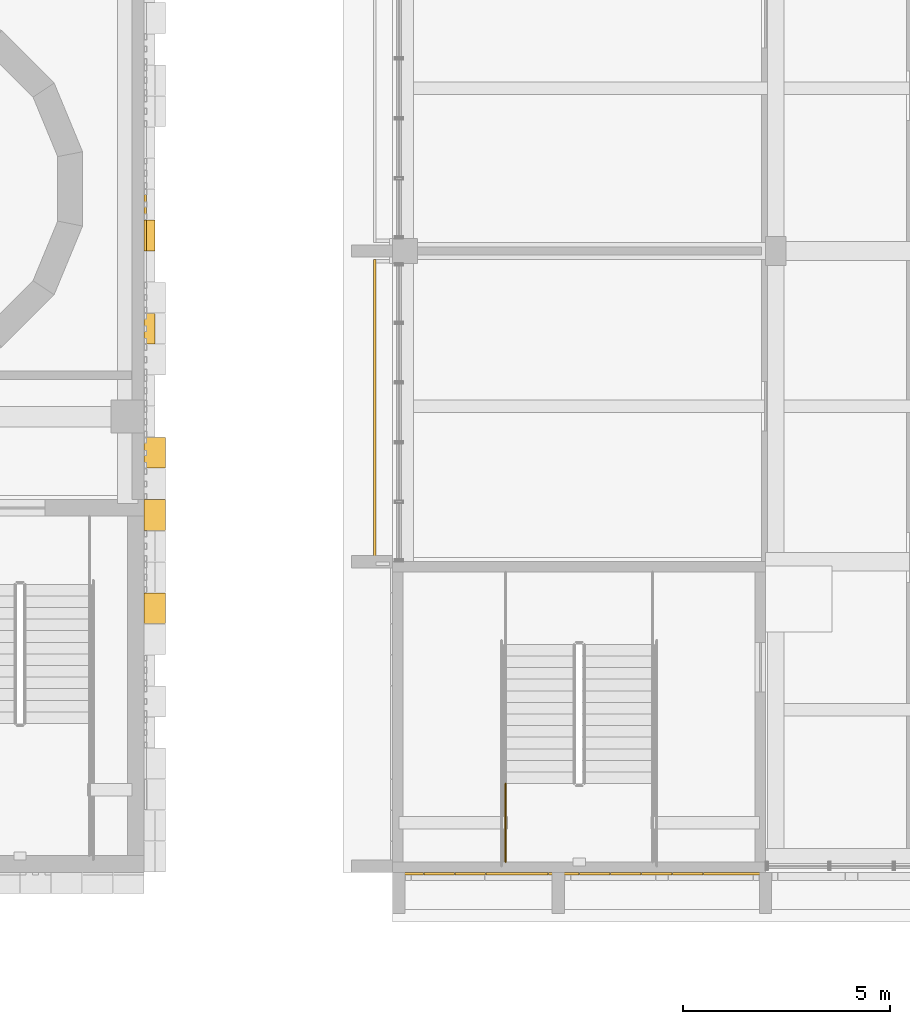
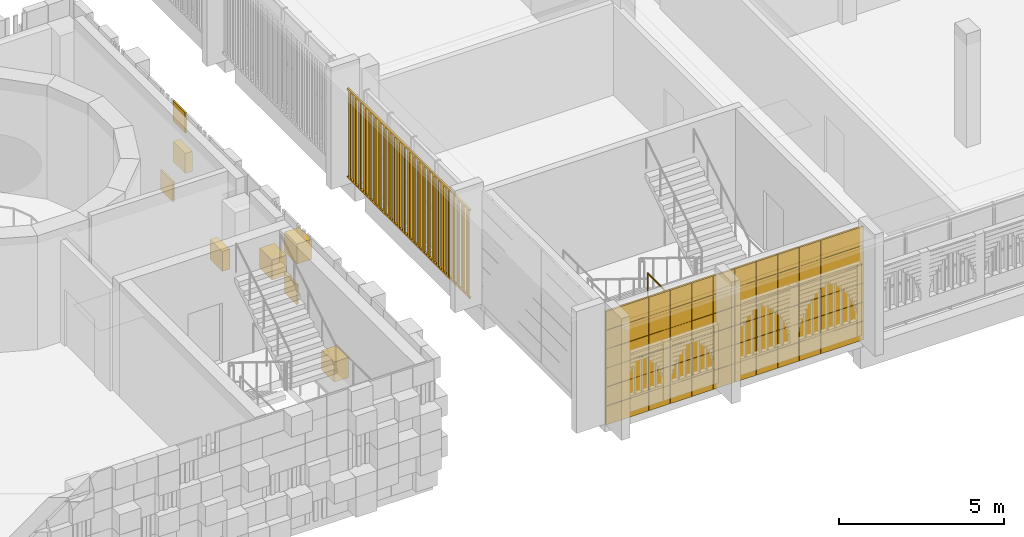
# One storey, part 76 of 92: 2 coverings, 1 railing, 1 shading device.
"""IFC4 building model written with IfcOpenShell, lengths in metres."""

from ifc_helpers import new_model, si_unit, direction, frame, origin, origin_2d, place, context, subcontext, project, spatial, rectangle, circle, extrude, material, layer, layer_set, type_object, element, save


model = new_model("IFC4")

# Units and contexts
model_context = context("Model", 3, precision=1e-05, world=origin(), true_north=direction((0.0, 1.0)))
body_context = subcontext(model_context, "Body", "Model", "MODEL_VIEW")
ifc_project = project(units=[si_unit("LENGTHUNIT", "METRE"), si_unit("AREAUNIT", "SQUARE_METRE"), si_unit("VOLUMEUNIT", "CUBIC_METRE"), si_unit("PLANEANGLEUNIT", "RADIAN"), si_unit("MASSUNIT", "GRAM", prefix="KILO")], contexts=[model_context])

# Site, building, storey
site_placement = place(None, origin())
site = spatial("IfcSite", under=ifc_project, at=site_placement, CompositionType="ELEMENT")
building_placement = place(site_placement, origin())
building = spatial("IfcBuilding", under=site, at=building_placement, Name="Sun Court Science Centre", CompositionType="ELEMENT")
storey_placement = place(building_placement, frame((0.0, 0.0, 11.25)))
storey = spatial("IfcBuildingStorey", under=building, at=storey_placement, Name="L02", CompositionType="ELEMENT", Elevation=11.25)

# Railing
ifc_material_1 = material(Name="Steel S275", Category="steel")
railing_type = type_object("IfcRailingType", Name="Guard 1100 steel balustrade", PredefinedType="GUARDRAIL", material=ifc_material_1)
railing_placement = place(storey_placement, frame((80.72705078125, 8.14208984375, 2.25)))
element("IfcRailing", 1, at=railing_placement, inside=storey, type_object=railing_type, Name="L02 SL1 stair guard 3", PredefinedType="GUARDRAIL", context=body_context, shape_type="SweptSolid", body=[
    extrude(circle(Radius=0.02392578125, at=origin_2d()), frame((0.0, 0.0, 1.076171875), z_axis=(0.0, -1.0, 0.0), x_axis=(1.0, 0.0, 0.0)), (0.0, 0.0, 1.0), 1.89208984375),
    extrude(circle(Radius=0.02099609375, at=origin_2d()), origin(), (0.0, 0.0, 1.0), 1.052001953125),
    extrude(circle(Radius=0.02099609375, at=origin_2d()), frame((0.0, -0.946044921875, 0.0)), (0.0, 0.0, 1.0), 1.052001953125),
    extrude(circle(Radius=0.02099609375, at=origin_2d()), frame((0.0, -1.89208984375, 0.0)), (0.0, 0.0, 1.0), 1.052001953125),
])

# Shading device
ifc_material_2 = material(Name="Red sandstone", Category="masonry")
ifc_layer_1 = layer(ifc_material_2, 0.06005859375)
ifc_layer_set_1 = layer_set([ifc_layer_1], Name="Red sandstone")
shading_device_type = type_object("IfcShadingDeviceType", Name="Jali screen, sandstone", PredefinedType="USERDEFINED", material=ifc_layer_set_1)
shading_device_placement = place(storey_placement, frame((0.0, 0.0, -11.25)))
element("IfcShadingDevice", 2, at=shading_device_placement, inside=storey, type_object=shading_device_type, Name="Jali screen west face L02 01", ObjectType="JALI SCREEN", PredefinedType="USERDEFINED", context=body_context, shape_type="SweptSolid", body=[
    extrude(rectangle(XDim=0.1201171875, YDim=0.06005859375, at=origin_2d()), frame((77.570068359375, 13.548095703125, 11.58984375), z_axis=(0.0, 0.0, 1.0), x_axis=(0.0, 1.0, 0.0)), (0.0, 0.0, 1.0), 3.219970703125),
    extrude(rectangle(XDim=0.1201171875, YDim=0.06005859375, at=origin_2d()), frame((77.570068359375, 13.843994140625, 11.58984375), z_axis=(0.0, 0.0, 1.0), x_axis=(0.0, 1.0, 0.0)), (0.0, 0.0, 1.0), 3.219970703125),
    extrude(rectangle(XDim=0.1201171875, YDim=0.06005859375, at=origin_2d()), frame((77.570068359375, 14.139892578125, 11.58984375), z_axis=(0.0, 0.0, 1.0), x_axis=(0.0, 1.0, 0.0)), (0.0, 0.0, 1.0), 3.219970703125),
    extrude(rectangle(XDim=0.1201171875, YDim=0.06005859375, at=origin_2d()), frame((77.570068359375, 14.43603515625, 11.58984375), z_axis=(0.0, 0.0, 1.0), x_axis=(0.0, 1.0, 0.0)), (0.0, 0.0, 1.0), 3.219970703125),
    extrude(rectangle(XDim=0.1201171875, YDim=0.06005859375, at=origin_2d()), frame((77.570068359375, 14.73193359375, 11.58984375), z_axis=(0.0, 0.0, 1.0), x_axis=(0.0, 1.0, 0.0)), (0.0, 0.0, 1.0), 3.219970703125),
    extrude(rectangle(XDim=0.1201171875, YDim=0.06005859375, at=origin_2d()), frame((77.570068359375, 15.028076171875, 11.58984375), z_axis=(0.0, 0.0, 1.0), x_axis=(0.0, 1.0, 0.0)), (0.0, 0.0, 1.0), 3.219970703125),
    extrude(rectangle(XDim=0.1201171875, YDim=0.06005859375, at=origin_2d()), frame((77.570068359375, 15.323974609375, 11.58984375), z_axis=(0.0, 0.0, 1.0), x_axis=(0.0, 1.0, 0.0)), (0.0, 0.0, 1.0), 3.219970703125),
    extrude(rectangle(XDim=0.1201171875, YDim=0.06005859375, at=origin_2d()), frame((77.570068359375, 15.6201171875, 11.58984375), z_axis=(0.0, 0.0, 1.0), x_axis=(0.0, 1.0, 0.0)), (0.0, 0.0, 1.0), 3.219970703125),
    extrude(rectangle(XDim=0.1201171875, YDim=0.06005859375, at=origin_2d()), frame((77.570068359375, 15.916015625, 11.58984375), z_axis=(0.0, 0.0, 1.0), x_axis=(0.0, 1.0, 0.0)), (0.0, 0.0, 1.0), 3.219970703125),
    extrude(rectangle(XDim=0.1201171875, YDim=0.06005859375, at=origin_2d()), frame((77.570068359375, 16.2119140625, 11.58984375), z_axis=(0.0, 0.0, 1.0), x_axis=(0.0, 1.0, 0.0)), (0.0, 0.0, 1.0), 3.219970703125),
    extrude(rectangle(XDim=0.1201171875, YDim=0.06005859375, at=origin_2d()), frame((77.570068359375, 16.508056640625, 11.58984375), z_axis=(0.0, 0.0, 1.0), x_axis=(0.0, 1.0, 0.0)), (0.0, 0.0, 1.0), 3.219970703125),
    extrude(rectangle(XDim=0.1201171875, YDim=0.06005859375, at=origin_2d()), frame((77.570068359375, 16.803955078125, 11.58984375), z_axis=(0.0, 0.0, 1.0), x_axis=(0.0, 1.0, 0.0)), (0.0, 0.0, 1.0), 3.219970703125),
    extrude(rectangle(XDim=0.1201171875, YDim=0.06005859375, at=origin_2d()), frame((77.570068359375, 17.10009765625, 11.58984375), z_axis=(0.0, 0.0, 1.0), x_axis=(0.0, 1.0, 0.0)), (0.0, 0.0, 1.0), 3.219970703125),
    extrude(rectangle(XDim=0.1201171875, YDim=0.06005859375, at=origin_2d()), frame((77.570068359375, 17.39599609375, 11.58984375), z_axis=(0.0, 0.0, 1.0), x_axis=(0.0, 1.0, 0.0)), (0.0, 0.0, 1.0), 3.219970703125),
    extrude(rectangle(XDim=0.1201171875, YDim=0.06005859375, at=origin_2d()), frame((77.570068359375, 17.69189453125, 11.58984375), z_axis=(0.0, 0.0, 1.0), x_axis=(0.0, 1.0, 0.0)), (0.0, 0.0, 1.0), 3.219970703125),
    extrude(rectangle(XDim=0.1201171875, YDim=0.06005859375, at=origin_2d()), frame((77.570068359375, 17.988037109375, 11.58984375), z_axis=(0.0, 0.0, 1.0), x_axis=(0.0, 1.0, 0.0)), (0.0, 0.0, 1.0), 3.219970703125),
    extrude(rectangle(XDim=0.1201171875, YDim=0.06005859375, at=origin_2d()), frame((77.570068359375, 18.283935546875, 11.58984375), z_axis=(0.0, 0.0, 1.0), x_axis=(0.0, 1.0, 0.0)), (0.0, 0.0, 1.0), 3.219970703125),
    extrude(rectangle(XDim=0.1201171875, YDim=0.06005859375, at=origin_2d()), frame((77.570068359375, 18.580078125, 11.58984375), z_axis=(0.0, 0.0, 1.0), x_axis=(0.0, 1.0, 0.0)), (0.0, 0.0, 1.0), 3.219970703125),
    extrude(rectangle(XDim=0.1201171875, YDim=0.06005859375, at=origin_2d()), frame((77.570068359375, 18.8759765625, 11.58984375), z_axis=(0.0, 0.0, 1.0), x_axis=(0.0, 1.0, 0.0)), (0.0, 0.0, 1.0), 3.219970703125),
    extrude(rectangle(XDim=0.1201171875, YDim=0.06005859375, at=origin_2d()), frame((77.570068359375, 19.172119140625, 11.58984375), z_axis=(0.0, 0.0, 1.0), x_axis=(0.0, 1.0, 0.0)), (0.0, 0.0, 1.0), 3.219970703125),
    extrude(rectangle(XDim=0.1201171875, YDim=0.06005859375, at=origin_2d()), frame((77.570068359375, 19.468017578125, 11.58984375), z_axis=(0.0, 0.0, 1.0), x_axis=(0.0, 1.0, 0.0)), (0.0, 0.0, 1.0), 3.219970703125),
    extrude(rectangle(XDim=0.1201171875, YDim=0.06005859375, at=origin_2d()), frame((77.570068359375, 19.763916015625, 11.58984375), z_axis=(0.0, 0.0, 1.0), x_axis=(0.0, 1.0, 0.0)), (0.0, 0.0, 1.0), 3.219970703125),
    extrude(rectangle(XDim=0.1201171875, YDim=0.06005859375, at=origin_2d()), frame((77.570068359375, 20.06005859375, 11.58984375), z_axis=(0.0, 0.0, 1.0), x_axis=(0.0, 1.0, 0.0)), (0.0, 0.0, 1.0), 3.219970703125),
    extrude(rectangle(XDim=0.1201171875, YDim=0.06005859375, at=origin_2d()), frame((77.570068359375, 20.35595703125, 11.58984375), z_axis=(0.0, 0.0, 1.0), x_axis=(0.0, 1.0, 0.0)), (0.0, 0.0, 1.0), 3.219970703125),
    extrude(rectangle(XDim=0.1201171875, YDim=0.06005859375, at=origin_2d()), frame((77.570068359375, 20.652099609375, 11.58984375), z_axis=(0.0, 0.0, 1.0), x_axis=(0.0, 1.0, 0.0)), (0.0, 0.0, 1.0), 3.219970703125),
    extrude(rectangle(XDim=7.39990234375, YDim=0.06005859375, at=origin_2d()), frame((77.570068359375, 17.10009765625, 11.550048828125), z_axis=(0.0, 0.0, 1.0), x_axis=(0.0, 1.0, 0.0)), (0.0, 0.0, 1.0), 0.06005859375),
    extrude(rectangle(XDim=7.39990234375, YDim=0.06005859375, at=origin_2d()), frame((77.570068359375, 17.10009765625, 14.7900390625), z_axis=(0.0, 0.0, 1.0), x_axis=(0.0, 1.0, 0.0)), (0.0, 0.0, 1.0), 0.06005859375),
])

# Coverings
ifc_material_3 = material(Name="Red sandstone", Category="masonry")
ifc_layer_2 = layer(ifc_material_3, 0.06005859375)
ifc_layer_set_2 = layer_set([ifc_layer_2], Name="Red sandstone")
covering_type_1 = type_object("IfcCoveringType", Name="Red sandstone wall cladding 750", PredefinedType="CLADDING", material=ifc_layer_set_2)
covering_1_placement = place(storey_placement, frame((0.0, 0.0, -11.25)))
element("IfcCovering", 3, at=covering_1_placement, inside=storey, type_object=covering_type_1, Name="Red sandstone wall cladding south face L02", PredefinedType="CLADDING", context=body_context, shape_type="SweptSolid", body=[
    extrude(rectangle(XDim=0.739990234375, YDim=0.06005859375, at=origin_2d()), frame((86.625, 5.969970703125, 11.255126953125), z_axis=(0.0, 0.0, 1.0), x_axis=(-1.0, 0.0, 0.0)), (0.0, 0.0, 1.0), 0.68994140625),
    extrude(rectangle(XDim=0.739990234375, YDim=0.06005859375, at=origin_2d()), frame((85.875, 5.969970703125, 11.255126953125), z_axis=(0.0, 0.0, 1.0), x_axis=(-1.0, 0.0, 0.0)), (0.0, 0.0, 1.0), 0.68994140625),
    extrude(rectangle(XDim=0.739990234375, YDim=0.06005859375, at=origin_2d()), frame((85.125, 5.969970703125, 11.255126953125), z_axis=(0.0, 0.0, 1.0), x_axis=(-1.0, 0.0, 0.0)), (0.0, 0.0, 1.0), 0.68994140625),
    extrude(rectangle(XDim=0.739990234375, YDim=0.06005859375, at=origin_2d()), frame((84.375, 5.969970703125, 11.255126953125), z_axis=(0.0, 0.0, 1.0), x_axis=(-1.0, 0.0, 0.0)), (0.0, 0.0, 1.0), 0.68994140625),
    extrude(rectangle(XDim=0.739990234375, YDim=0.06005859375, at=origin_2d()), frame((83.625, 5.969970703125, 11.255126953125), z_axis=(0.0, 0.0, 1.0), x_axis=(-1.0, 0.0, 0.0)), (0.0, 0.0, 1.0), 0.68994140625),
    extrude(rectangle(XDim=0.739990234375, YDim=0.06005859375, at=origin_2d()), frame((82.875, 5.969970703125, 11.255126953125), z_axis=(0.0, 0.0, 1.0), x_axis=(-1.0, 0.0, 0.0)), (0.0, 0.0, 1.0), 0.68994140625),
    extrude(rectangle(XDim=0.739990234375, YDim=0.06005859375, at=origin_2d()), frame((82.125, 5.969970703125, 11.255126953125), z_axis=(0.0, 0.0, 1.0), x_axis=(-1.0, 0.0, 0.0)), (0.0, 0.0, 1.0), 0.68994140625),
    extrude(rectangle(XDim=0.739990234375, YDim=0.06005859375, at=origin_2d()), frame((81.375, 5.969970703125, 11.255126953125), z_axis=(0.0, 0.0, 1.0), x_axis=(-1.0, 0.0, 0.0)), (0.0, 0.0, 1.0), 0.68994140625),
    extrude(rectangle(XDim=0.739990234375, YDim=0.06005859375, at=origin_2d()), frame((80.625, 5.969970703125, 11.255126953125), z_axis=(0.0, 0.0, 1.0), x_axis=(-1.0, 0.0, 0.0)), (0.0, 0.0, 1.0), 0.68994140625),
    extrude(rectangle(XDim=0.739990234375, YDim=0.06005859375, at=origin_2d()), frame((79.875, 5.969970703125, 11.255126953125), z_axis=(0.0, 0.0, 1.0), x_axis=(-1.0, 0.0, 0.0)), (0.0, 0.0, 1.0), 0.68994140625),
    extrude(rectangle(XDim=0.739990234375, YDim=0.06005859375, at=origin_2d()), frame((79.125, 5.969970703125, 11.255126953125), z_axis=(0.0, 0.0, 1.0), x_axis=(-1.0, 0.0, 0.0)), (0.0, 0.0, 1.0), 0.68994140625),
    extrude(rectangle(XDim=0.739990234375, YDim=0.06005859375, at=origin_2d()), frame((78.375, 5.969970703125, 11.255126953125), z_axis=(0.0, 0.0, 1.0), x_axis=(-1.0, 0.0, 0.0)), (0.0, 0.0, 1.0), 0.68994140625),
    extrude(rectangle(XDim=0.739990234375, YDim=0.06005859375, at=origin_2d()), frame((86.625, 5.969970703125, 11.955078125), z_axis=(0.0, 0.0, 1.0), x_axis=(-1.0, 0.0, 0.0)), (0.0, 0.0, 1.0), 0.68994140625),
    extrude(rectangle(XDim=0.739990234375, YDim=0.06005859375, at=origin_2d()), frame((85.875, 5.969970703125, 11.955078125), z_axis=(0.0, 0.0, 1.0), x_axis=(-1.0, 0.0, 0.0)), (0.0, 0.0, 1.0), 0.68994140625),
    extrude(rectangle(XDim=0.739990234375, YDim=0.06005859375, at=origin_2d()), frame((85.125, 5.969970703125, 11.955078125), z_axis=(0.0, 0.0, 1.0), x_axis=(-1.0, 0.0, 0.0)), (0.0, 0.0, 1.0), 0.68994140625),
    extrude(rectangle(XDim=0.739990234375, YDim=0.06005859375, at=origin_2d()), frame((84.375, 5.969970703125, 11.955078125), z_axis=(0.0, 0.0, 1.0), x_axis=(-1.0, 0.0, 0.0)), (0.0, 0.0, 1.0), 0.68994140625),
    extrude(rectangle(XDim=0.739990234375, YDim=0.06005859375, at=origin_2d()), frame((83.625, 5.969970703125, 11.955078125), z_axis=(0.0, 0.0, 1.0), x_axis=(-1.0, 0.0, 0.0)), (0.0, 0.0, 1.0), 0.68994140625),
    extrude(rectangle(XDim=0.739990234375, YDim=0.06005859375, at=origin_2d()), frame((82.875, 5.969970703125, 11.955078125), z_axis=(0.0, 0.0, 1.0), x_axis=(-1.0, 0.0, 0.0)), (0.0, 0.0, 1.0), 0.68994140625),
    extrude(rectangle(XDim=0.739990234375, YDim=0.06005859375, at=origin_2d()), frame((82.125, 5.969970703125, 11.955078125), z_axis=(0.0, 0.0, 1.0), x_axis=(-1.0, 0.0, 0.0)), (0.0, 0.0, 1.0), 0.68994140625),
    extrude(rectangle(XDim=0.739990234375, YDim=0.06005859375, at=origin_2d()), frame((81.375, 5.969970703125, 11.955078125), z_axis=(0.0, 0.0, 1.0), x_axis=(-1.0, 0.0, 0.0)), (0.0, 0.0, 1.0), 0.68994140625),
    extrude(rectangle(XDim=0.739990234375, YDim=0.06005859375, at=origin_2d()), frame((80.625, 5.969970703125, 11.955078125), z_axis=(0.0, 0.0, 1.0), x_axis=(-1.0, 0.0, 0.0)), (0.0, 0.0, 1.0), 0.68994140625),
    extrude(rectangle(XDim=0.739990234375, YDim=0.06005859375, at=origin_2d()), frame((79.875, 5.969970703125, 11.955078125), z_axis=(0.0, 0.0, 1.0), x_axis=(-1.0, 0.0, 0.0)), (0.0, 0.0, 1.0), 0.68994140625),
    extrude(rectangle(XDim=0.739990234375, YDim=0.06005859375, at=origin_2d()), frame((79.125, 5.969970703125, 11.955078125), z_axis=(0.0, 0.0, 1.0), x_axis=(-1.0, 0.0, 0.0)), (0.0, 0.0, 1.0), 0.68994140625),
    extrude(rectangle(XDim=0.739990234375, YDim=0.06005859375, at=origin_2d()), frame((78.375, 5.969970703125, 11.955078125), z_axis=(0.0, 0.0, 1.0), x_axis=(-1.0, 0.0, 0.0)), (0.0, 0.0, 1.0), 0.68994140625),
    extrude(rectangle(XDim=0.739990234375, YDim=0.06005859375, at=origin_2d()), frame((86.625, 5.969970703125, 12.655029296875), z_axis=(0.0, 0.0, 1.0), x_axis=(-1.0, 0.0, 0.0)), (0.0, 0.0, 1.0), 0.68994140625),
    extrude(rectangle(XDim=0.739990234375, YDim=0.06005859375, at=origin_2d()), frame((85.875, 5.969970703125, 12.655029296875), z_axis=(0.0, 0.0, 1.0), x_axis=(-1.0, 0.0, 0.0)), (0.0, 0.0, 1.0), 0.68994140625),
    extrude(rectangle(XDim=0.739990234375, YDim=0.06005859375, at=origin_2d()), frame((85.125, 5.969970703125, 12.655029296875), z_axis=(0.0, 0.0, 1.0), x_axis=(-1.0, 0.0, 0.0)), (0.0, 0.0, 1.0), 0.68994140625),
    extrude(rectangle(XDim=0.739990234375, YDim=0.06005859375, at=origin_2d()), frame((84.375, 5.969970703125, 12.655029296875), z_axis=(0.0, 0.0, 1.0), x_axis=(-1.0, 0.0, 0.0)), (0.0, 0.0, 1.0), 0.68994140625),
    extrude(rectangle(XDim=0.739990234375, YDim=0.06005859375, at=origin_2d()), frame((83.625, 5.969970703125, 12.655029296875), z_axis=(0.0, 0.0, 1.0), x_axis=(-1.0, 0.0, 0.0)), (0.0, 0.0, 1.0), 0.68994140625),
    extrude(rectangle(XDim=0.739990234375, YDim=0.06005859375, at=origin_2d()), frame((82.875, 5.969970703125, 12.655029296875), z_axis=(0.0, 0.0, 1.0), x_axis=(-1.0, 0.0, 0.0)), (0.0, 0.0, 1.0), 0.68994140625),
    extrude(rectangle(XDim=0.739990234375, YDim=0.06005859375, at=origin_2d()), frame((82.125, 5.969970703125, 12.655029296875), z_axis=(0.0, 0.0, 1.0), x_axis=(-1.0, 0.0, 0.0)), (0.0, 0.0, 1.0), 0.68994140625),
    extrude(rectangle(XDim=0.739990234375, YDim=0.06005859375, at=origin_2d()), frame((81.375, 5.969970703125, 12.655029296875), z_axis=(0.0, 0.0, 1.0), x_axis=(-1.0, 0.0, 0.0)), (0.0, 0.0, 1.0), 0.68994140625),
    extrude(rectangle(XDim=0.739990234375, YDim=0.06005859375, at=origin_2d()), frame((80.625, 5.969970703125, 12.655029296875), z_axis=(0.0, 0.0, 1.0), x_axis=(-1.0, 0.0, 0.0)), (0.0, 0.0, 1.0), 0.68994140625),
    extrude(rectangle(XDim=0.739990234375, YDim=0.06005859375, at=origin_2d()), frame((79.875, 5.969970703125, 12.655029296875), z_axis=(0.0, 0.0, 1.0), x_axis=(-1.0, 0.0, 0.0)), (0.0, 0.0, 1.0), 0.68994140625),
    extrude(rectangle(XDim=0.739990234375, YDim=0.06005859375, at=origin_2d()), frame((79.125, 5.969970703125, 12.655029296875), z_axis=(0.0, 0.0, 1.0), x_axis=(-1.0, 0.0, 0.0)), (0.0, 0.0, 1.0), 0.68994140625),
    extrude(rectangle(XDim=0.739990234375, YDim=0.06005859375, at=origin_2d()), frame((78.375, 5.969970703125, 12.655029296875), z_axis=(0.0, 0.0, 1.0), x_axis=(-1.0, 0.0, 0.0)), (0.0, 0.0, 1.0), 0.68994140625),
    extrude(rectangle(XDim=0.739990234375, YDim=0.06005859375, at=origin_2d()), frame((86.625, 5.969970703125, 13.35498046875), z_axis=(0.0, 0.0, 1.0), x_axis=(-1.0, 0.0, 0.0)), (0.0, 0.0, 1.0), 0.68994140625),
    extrude(rectangle(XDim=0.739990234375, YDim=0.06005859375, at=origin_2d()), frame((85.875, 5.969970703125, 13.35498046875), z_axis=(0.0, 0.0, 1.0), x_axis=(-1.0, 0.0, 0.0)), (0.0, 0.0, 1.0), 0.68994140625),
    extrude(rectangle(XDim=0.739990234375, YDim=0.06005859375, at=origin_2d()), frame((85.125, 5.969970703125, 13.35498046875), z_axis=(0.0, 0.0, 1.0), x_axis=(-1.0, 0.0, 0.0)), (0.0, 0.0, 1.0), 0.68994140625),
    extrude(rectangle(XDim=0.739990234375, YDim=0.06005859375, at=origin_2d()), frame((84.375, 5.969970703125, 13.35498046875), z_axis=(0.0, 0.0, 1.0), x_axis=(-1.0, 0.0, 0.0)), (0.0, 0.0, 1.0), 0.68994140625),
    extrude(rectangle(XDim=0.739990234375, YDim=0.06005859375, at=origin_2d()), frame((83.625, 5.969970703125, 13.35498046875), z_axis=(0.0, 0.0, 1.0), x_axis=(-1.0, 0.0, 0.0)), (0.0, 0.0, 1.0), 0.68994140625),
    extrude(rectangle(XDim=0.739990234375, YDim=0.06005859375, at=origin_2d()), frame((82.875, 5.969970703125, 13.35498046875), z_axis=(0.0, 0.0, 1.0), x_axis=(-1.0, 0.0, 0.0)), (0.0, 0.0, 1.0), 0.68994140625),
    extrude(rectangle(XDim=0.739990234375, YDim=0.06005859375, at=origin_2d()), frame((82.125, 5.969970703125, 13.35498046875), z_axis=(0.0, 0.0, 1.0), x_axis=(-1.0, 0.0, 0.0)), (0.0, 0.0, 1.0), 0.68994140625),
    extrude(rectangle(XDim=0.739990234375, YDim=0.06005859375, at=origin_2d()), frame((81.375, 5.969970703125, 13.35498046875), z_axis=(0.0, 0.0, 1.0), x_axis=(-1.0, 0.0, 0.0)), (0.0, 0.0, 1.0), 0.68994140625),
    extrude(rectangle(XDim=0.739990234375, YDim=0.06005859375, at=origin_2d()), frame((80.625, 5.969970703125, 13.35498046875), z_axis=(0.0, 0.0, 1.0), x_axis=(-1.0, 0.0, 0.0)), (0.0, 0.0, 1.0), 0.68994140625),
    extrude(rectangle(XDim=0.739990234375, YDim=0.06005859375, at=origin_2d()), frame((79.875, 5.969970703125, 13.35498046875), z_axis=(0.0, 0.0, 1.0), x_axis=(-1.0, 0.0, 0.0)), (0.0, 0.0, 1.0), 0.68994140625),
    extrude(rectangle(XDim=0.739990234375, YDim=0.06005859375, at=origin_2d()), frame((79.125, 5.969970703125, 13.35498046875), z_axis=(0.0, 0.0, 1.0), x_axis=(-1.0, 0.0, 0.0)), (0.0, 0.0, 1.0), 0.68994140625),
    extrude(rectangle(XDim=0.739990234375, YDim=0.06005859375, at=origin_2d()), frame((78.375, 5.969970703125, 13.35498046875), z_axis=(0.0, 0.0, 1.0), x_axis=(-1.0, 0.0, 0.0)), (0.0, 0.0, 1.0), 0.68994140625),
    extrude(rectangle(XDim=0.739990234375, YDim=0.06005859375, at=origin_2d()), frame((86.625, 5.969970703125, 14.054931640625), z_axis=(0.0, 0.0, 1.0), x_axis=(-1.0, 0.0, 0.0)), (0.0, 0.0, 1.0), 0.68994140625),
    extrude(rectangle(XDim=0.739990234375, YDim=0.06005859375, at=origin_2d()), frame((85.875, 5.969970703125, 14.054931640625), z_axis=(0.0, 0.0, 1.0), x_axis=(-1.0, 0.0, 0.0)), (0.0, 0.0, 1.0), 0.68994140625),
    extrude(rectangle(XDim=0.739990234375, YDim=0.06005859375, at=origin_2d()), frame((85.125, 5.969970703125, 14.054931640625), z_axis=(0.0, 0.0, 1.0), x_axis=(-1.0, 0.0, 0.0)), (0.0, 0.0, 1.0), 0.68994140625),
    extrude(rectangle(XDim=0.739990234375, YDim=0.06005859375, at=origin_2d()), frame((84.375, 5.969970703125, 14.054931640625), z_axis=(0.0, 0.0, 1.0), x_axis=(-1.0, 0.0, 0.0)), (0.0, 0.0, 1.0), 0.68994140625),
    extrude(rectangle(XDim=0.739990234375, YDim=0.06005859375, at=origin_2d()), frame((83.625, 5.969970703125, 14.054931640625), z_axis=(0.0, 0.0, 1.0), x_axis=(-1.0, 0.0, 0.0)), (0.0, 0.0, 1.0), 0.68994140625),
    extrude(rectangle(XDim=0.739990234375, YDim=0.06005859375, at=origin_2d()), frame((82.875, 5.969970703125, 14.054931640625), z_axis=(0.0, 0.0, 1.0), x_axis=(-1.0, 0.0, 0.0)), (0.0, 0.0, 1.0), 0.68994140625),
    extrude(rectangle(XDim=0.739990234375, YDim=0.06005859375, at=origin_2d()), frame((82.125, 5.969970703125, 14.054931640625), z_axis=(0.0, 0.0, 1.0), x_axis=(-1.0, 0.0, 0.0)), (0.0, 0.0, 1.0), 0.68994140625),
    extrude(rectangle(XDim=0.739990234375, YDim=0.06005859375, at=origin_2d()), frame((81.375, 5.969970703125, 14.054931640625), z_axis=(0.0, 0.0, 1.0), x_axis=(-1.0, 0.0, 0.0)), (0.0, 0.0, 1.0), 0.68994140625),
    extrude(rectangle(XDim=0.739990234375, YDim=0.06005859375, at=origin_2d()), frame((80.625, 5.969970703125, 14.054931640625), z_axis=(0.0, 0.0, 1.0), x_axis=(-1.0, 0.0, 0.0)), (0.0, 0.0, 1.0), 0.68994140625),
    extrude(rectangle(XDim=0.739990234375, YDim=0.06005859375, at=origin_2d()), frame((79.875, 5.969970703125, 14.054931640625), z_axis=(0.0, 0.0, 1.0), x_axis=(-1.0, 0.0, 0.0)), (0.0, 0.0, 1.0), 0.68994140625),
    extrude(rectangle(XDim=0.739990234375, YDim=0.06005859375, at=origin_2d()), frame((79.125, 5.969970703125, 14.054931640625), z_axis=(0.0, 0.0, 1.0), x_axis=(-1.0, 0.0, 0.0)), (0.0, 0.0, 1.0), 0.68994140625),
    extrude(rectangle(XDim=0.739990234375, YDim=0.06005859375, at=origin_2d()), frame((78.375, 5.969970703125, 14.054931640625), z_axis=(0.0, 0.0, 1.0), x_axis=(-1.0, 0.0, 0.0)), (0.0, 0.0, 1.0), 0.68994140625),
    extrude(rectangle(XDim=0.739990234375, YDim=0.06005859375, at=origin_2d()), frame((86.625, 5.969970703125, 14.755126953125), z_axis=(0.0, 0.0, 1.0), x_axis=(-1.0, 0.0, 0.0)), (0.0, 0.0, 1.0), 0.68994140625),
    extrude(rectangle(XDim=0.739990234375, YDim=0.06005859375, at=origin_2d()), frame((85.875, 5.969970703125, 14.755126953125), z_axis=(0.0, 0.0, 1.0), x_axis=(-1.0, 0.0, 0.0)), (0.0, 0.0, 1.0), 0.68994140625),
    extrude(rectangle(XDim=0.739990234375, YDim=0.06005859375, at=origin_2d()), frame((85.125, 5.969970703125, 14.755126953125), z_axis=(0.0, 0.0, 1.0), x_axis=(-1.0, 0.0, 0.0)), (0.0, 0.0, 1.0), 0.68994140625),
    extrude(rectangle(XDim=0.739990234375, YDim=0.06005859375, at=origin_2d()), frame((84.375, 5.969970703125, 14.755126953125), z_axis=(0.0, 0.0, 1.0), x_axis=(-1.0, 0.0, 0.0)), (0.0, 0.0, 1.0), 0.68994140625),
    extrude(rectangle(XDim=0.739990234375, YDim=0.06005859375, at=origin_2d()), frame((83.625, 5.969970703125, 14.755126953125), z_axis=(0.0, 0.0, 1.0), x_axis=(-1.0, 0.0, 0.0)), (0.0, 0.0, 1.0), 0.68994140625),
    extrude(rectangle(XDim=0.739990234375, YDim=0.06005859375, at=origin_2d()), frame((82.875, 5.969970703125, 14.755126953125), z_axis=(0.0, 0.0, 1.0), x_axis=(-1.0, 0.0, 0.0)), (0.0, 0.0, 1.0), 0.68994140625),
    extrude(rectangle(XDim=0.739990234375, YDim=0.06005859375, at=origin_2d()), frame((82.125, 5.969970703125, 14.755126953125), z_axis=(0.0, 0.0, 1.0), x_axis=(-1.0, 0.0, 0.0)), (0.0, 0.0, 1.0), 0.68994140625),
    extrude(rectangle(XDim=0.739990234375, YDim=0.06005859375, at=origin_2d()), frame((81.375, 5.969970703125, 14.755126953125), z_axis=(0.0, 0.0, 1.0), x_axis=(-1.0, 0.0, 0.0)), (0.0, 0.0, 1.0), 0.68994140625),
    extrude(rectangle(XDim=0.739990234375, YDim=0.06005859375, at=origin_2d()), frame((80.625, 5.969970703125, 14.755126953125), z_axis=(0.0, 0.0, 1.0), x_axis=(-1.0, 0.0, 0.0)), (0.0, 0.0, 1.0), 0.68994140625),
    extrude(rectangle(XDim=0.739990234375, YDim=0.06005859375, at=origin_2d()), frame((79.875, 5.969970703125, 14.755126953125), z_axis=(0.0, 0.0, 1.0), x_axis=(-1.0, 0.0, 0.0)), (0.0, 0.0, 1.0), 0.68994140625),
    extrude(rectangle(XDim=0.739990234375, YDim=0.06005859375, at=origin_2d()), frame((79.125, 5.969970703125, 14.755126953125), z_axis=(0.0, 0.0, 1.0), x_axis=(-1.0, 0.0, 0.0)), (0.0, 0.0, 1.0), 0.68994140625),
    extrude(rectangle(XDim=0.739990234375, YDim=0.06005859375, at=origin_2d()), frame((78.375, 5.969970703125, 14.755126953125), z_axis=(0.0, 0.0, 1.0), x_axis=(-1.0, 0.0, 0.0)), (0.0, 0.0, 1.0), 0.68994140625),
])
ifc_material_4 = material(Name="Terracotta shade 5", Category="masonry")
ifc_layer_3 = layer(ifc_material_4, 0.06005859375)
ifc_layer_set_3 = layer_set([ifc_layer_3], Name="Terracotta shade 5")
covering_type_2 = type_object("IfcCoveringType", Name="Terracotta pixel panel shade 5", PredefinedType="CLADDING", material=ifc_layer_set_3)
covering_2_placement = place(storey_placement, frame((0.0, 0.0, -11.25)))
element("IfcCovering", 4, at=covering_2_placement, inside=storey, type_object=covering_type_2, Name="Terracotta pixel cladding shade 5 east face L02", PredefinedType="CLADDING", context=body_context, shape_type="SweptSolid", body=[
    extrude(rectangle(XDim=0.739990234375, YDim=0.260009765625, at=origin_2d()), frame((72.1298828125, 19.125, 11.2548828125), z_axis=(0.0, 0.0, 1.0), x_axis=(0.0, -1.0, 0.0)), (0.0, 0.0, 1.0), 0.739990234375),
    extrude(rectangle(XDim=0.739990234375, YDim=0.510009765625, at=origin_2d()), frame((72.2548828125, 12.375, 11.2548828125), z_axis=(0.0, 0.0, 1.0), x_axis=(0.0, -1.0, 0.0)), (0.0, 0.0, 1.0), 0.739990234375),
    extrude(rectangle(XDim=0.739990234375, YDim=0.06005859375, at=origin_2d()), frame((72.030029296875, 22.125, 12.0048828125), z_axis=(0.0, 0.0, 1.0), x_axis=(0.0, -1.0, 0.0)), (0.0, 0.0, 1.0), 0.739990234375),
    extrude(rectangle(XDim=0.739990234375, YDim=0.510009765625, at=origin_2d()), frame((72.2548828125, 16.125, 12.7548828125), z_axis=(0.0, 0.0, 1.0), x_axis=(0.0, -1.0, 0.0)), (0.0, 0.0, 1.0), 0.739990234375),
    extrude(rectangle(XDim=0.739990234375, YDim=0.06005859375, at=origin_2d()), frame((72.030029296875, 14.625, 12.7548828125), z_axis=(0.0, 0.0, 1.0), x_axis=(0.0, -1.0, 0.0)), (0.0, 0.0, 1.0), 0.739990234375),
    extrude(rectangle(XDim=0.739990234375, YDim=0.260009765625, at=origin_2d()), frame((72.1298828125, 21.375, 13.5048828125), z_axis=(0.0, 0.0, 1.0), x_axis=(0.0, -1.0, 0.0)), (0.0, 0.0, 1.0), 0.739990234375),
    extrude(rectangle(XDim=0.739990234375, YDim=0.510009765625, at=origin_2d()), frame((72.2548828125, 14.625, 14.2548828125), z_axis=(0.0, 0.0, 1.0), x_axis=(0.0, -1.0, 0.0)), (0.0, 0.0, 1.0), 0.739990234375),
    extrude(rectangle(XDim=0.739990234375, YDim=0.06005859375, at=origin_2d()), frame((72.030029296875, 21.375, 15.0048828125), z_axis=(0.0, 0.0, 1.0), x_axis=(0.0, -1.0, 0.0)), (0.0, 0.0, 1.0), 0.739990234375),
])

save(model, "model.ifc")
